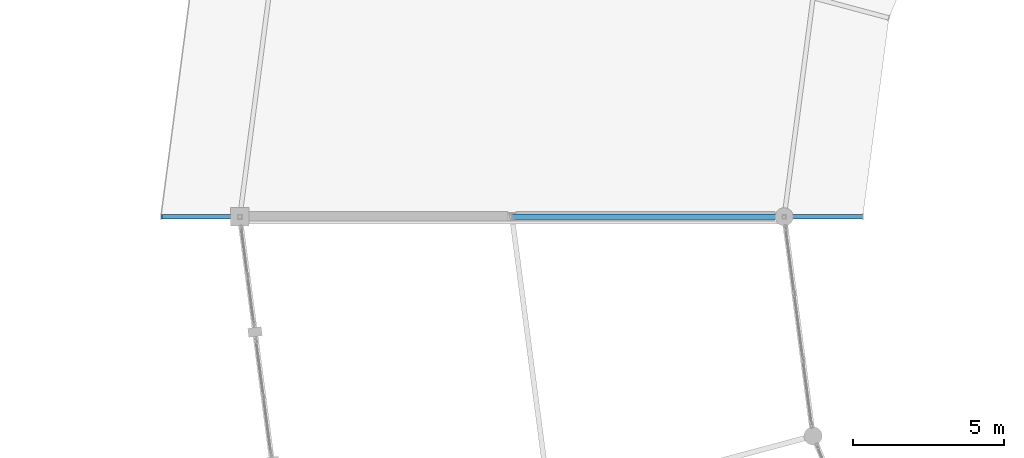
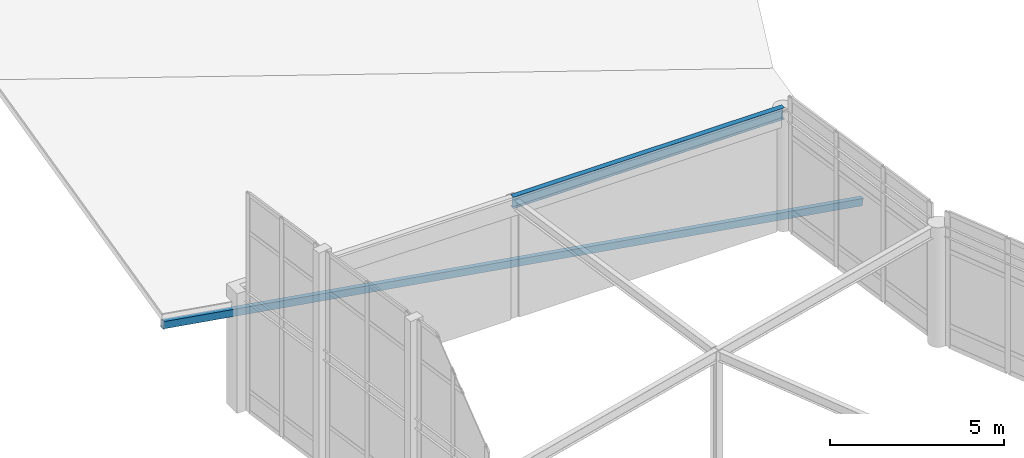
# One storey, part 34 of 93: 1 beam, 1 member.
"""IFC4 building model written with IfcOpenShell, lengths in metres."""

from ifc_helpers import new_model, si_unit, direction, frame, origin, origin_2d, place, context, subcontext, project, spatial, hollow_rectangle, i_section, extrude, material, material_profile, profile_set, type_object, element, save


model = new_model("IFC4")

# Units and contexts
model_context = context("Model", 3, precision=1e-05, world=origin(), true_north=direction((0.0, 1.0)))
body_context = subcontext(model_context, "Body", "Model", "MODEL_VIEW")
ifc_project = project(units=[si_unit("LENGTHUNIT", "METRE"), si_unit("AREAUNIT", "SQUARE_METRE"), si_unit("VOLUMEUNIT", "CUBIC_METRE"), si_unit("PLANEANGLEUNIT", "RADIAN"), si_unit("MASSUNIT", "GRAM", prefix="KILO")], contexts=[model_context])

# Site, building, storey
site_placement = place(None, origin())
site = spatial("IfcSite", under=ifc_project, at=site_placement, CompositionType="ELEMENT")
building_placement = place(site_placement, origin())
building = spatial("IfcBuilding", under=site, at=building_placement, Name="Vondelvale Polytechnic", CompositionType="ELEMENT")
storey_placement = place(building_placement, frame((0.0, 0.0, 18.0)))
storey = spatial("IfcBuildingStorey", under=building, at=storey_placement, Name="L04", CompositionType="ELEMENT", Elevation=18.0)

# Beam
ifc_material_1 = material(Name="Steel 300PLUS (fy = 300 MPa)", Category="steel")
ifc_material_profile_1 = material_profile(ifc_material_1, i_section(OverallWidth=0.177978515625, OverallDepth=0.403076171875, WebThickness=0.007568359375, FlangeThickness=0.010986328125, FilletRadius=0.011474609375, at=origin_2d()), Name="410UB53.7")
ifc_profile_set_1 = profile_set([ifc_material_profile_1], Name="Steel 300PLUS (fy = 300 MPa)")
beam_type = type_object("IfcBeamType", Name="BM-UB410L", PredefinedType="BEAM", material=ifc_profile_set_1)
beam_placement = place(storey_placement, frame((74.0, 72.0, 3.99853515625), z_axis=(-1.0, 0.0, 0.0), x_axis=(0.0, -1.0, 0.0)))
element("IfcBeam", 1, at=beam_placement, inside=storey, type_object=beam_type, Name="L04 REG B-23", PredefinedType="BEAM", context=body_context, shape_type="SweptSolid", body=[
    extrude(i_section(OverallWidth=0.177978515625, OverallDepth=0.403076171875, WebThickness=0.007568359375, FlangeThickness=0.010986328125, FilletRadius=0.011474609375, at=origin_2d()), origin(), (0.0, 0.0, 1.0), 9.0),
])

# Member
ifc_material_2 = material(Name="Steel C350L0 (fy = 350 MPa)", Category="steel")
ifc_material_profile_2 = material_profile(ifc_material_2, hollow_rectangle(XDim=0.14990234375, YDim=0.25, WallThickness=0.006103515625, at=origin_2d()), Name="250x150x6.0RHS")
ifc_profile_set_2 = profile_set([ifc_material_profile_2], Name="Steel C350L0 (fy = 350 MPa)")
member_type = type_object("IfcMemberType", Name="RAFTER RHS250", PredefinedType="RAFTER", material=ifc_profile_set_2)
member_placement = place(storey_placement, frame((53.39990234375, 72.0, 3.765625), z_axis=(0.986851462658, 0.0, -0.161629795058), x_axis=(0.0, 1.0, 0.0)))
element("IfcMember", 2, at=member_placement, inside=storey, type_object=member_type, Name="Ring step inward-sloping rafter 11", PredefinedType="RAFTER", context=body_context, shape_type="SweptSolid", body=[
    extrude(hollow_rectangle(XDim=0.14990234375, YDim=0.25, WallThickness=0.006103515625, at=origin_2d()), origin(), (0.0, 0.0, 1.0), 23.50927734375),
])

save(model, "model.ifc")
